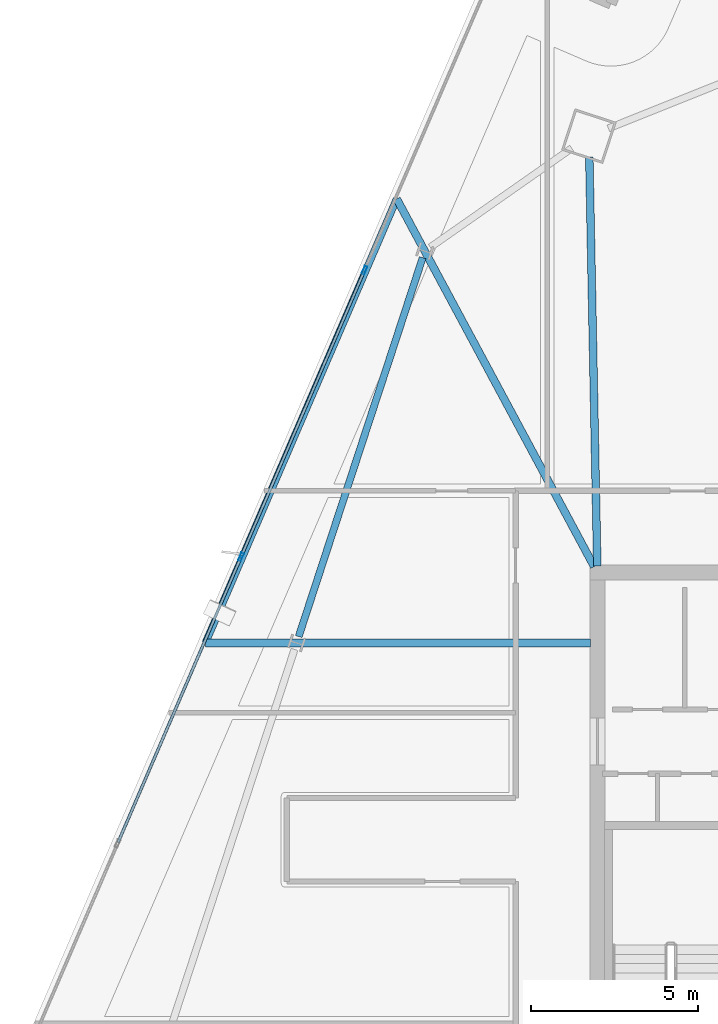
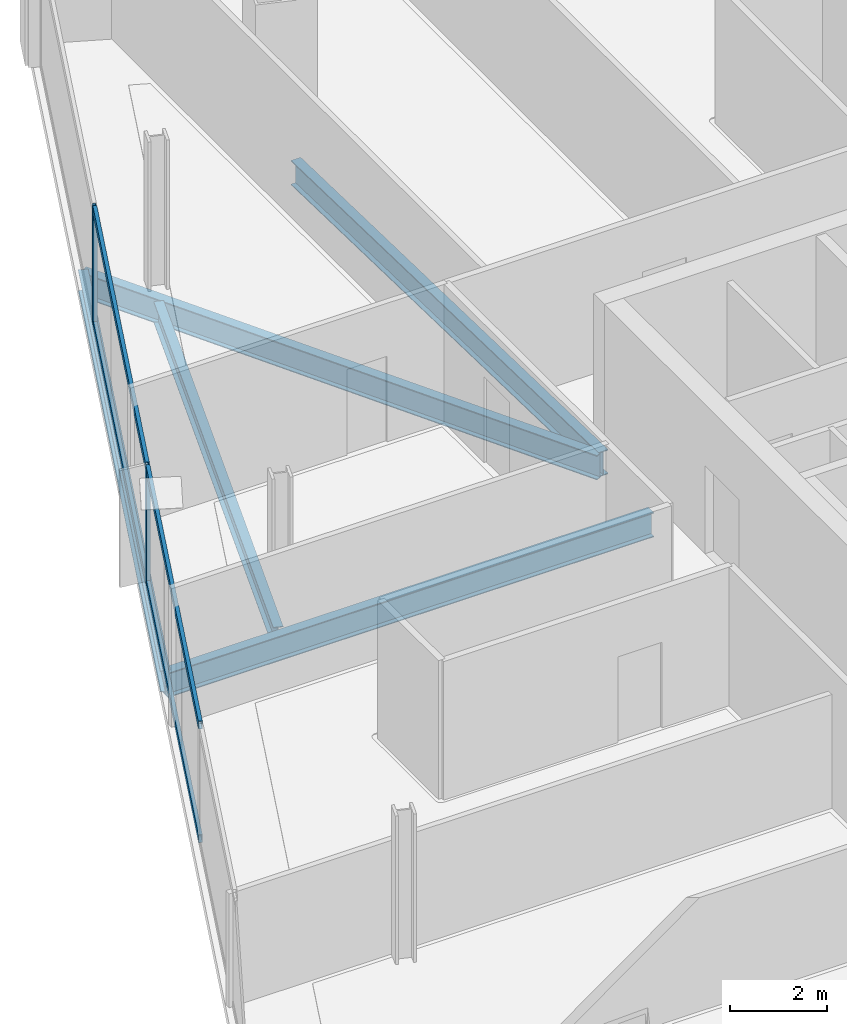
# One storey, part 13 of 28: 6 members, 5 beams, 1 element without a shape of its own.
"""IFC4 building model written with IfcOpenShell, lengths in metres."""

from ifc_helpers import new_model, si_unit, direction, frame, origin, origin_2d, place, context, subcontext, project, spatial, hollow_rectangle, i_section, extrude, material, material_profile, profile_set, type_object, element, aggregate, save


model = new_model("IFC4")

# Units and contexts
model_context = context("Model", 3, precision=1e-05, world=origin(), true_north=direction((0.0, 1.0)))
body_context = subcontext(model_context, "Body", "Model", "MODEL_VIEW")
ifc_project = project(units=[si_unit("LENGTHUNIT", "METRE"), si_unit("AREAUNIT", "SQUARE_METRE"), si_unit("VOLUMEUNIT", "CUBIC_METRE"), si_unit("PLANEANGLEUNIT", "RADIAN"), si_unit("MASSUNIT", "GRAM", prefix="KILO")], contexts=[model_context])

# Site, building, storey
site_placement = place(None, origin())
site = spatial("IfcSite", under=ifc_project, at=site_placement, CompositionType="ELEMENT")
building_placement = place(site_placement, origin())
building = spatial("IfcBuilding", under=site, at=building_placement, Name="Haldenkirk Collegiate Tower", CompositionType="ELEMENT")
storey_placement = place(building_placement, frame((0.0, 0.0, 252.449951171875)))
storey = spatial("IfcBuildingStorey", under=building, at=storey_placement, Name="L63", CompositionType="ELEMENT", Elevation=252.449951171875)

# Beams
ifc_material_1 = material(Name="Steel ASTM A992 Grade 50", Category="steel")
ifc_material_profile_1 = material_profile(ifc_material_1, i_section(OverallWidth=0.22998046875, OverallDepth=0.616943359375, WebThickness=0.01318359375, FlangeThickness=0.022216796875, at=origin_2d()), Name="W24X94")
ifc_profile_set_1 = profile_set([ifc_material_profile_1], Name="Steel ASTM A992 Grade 50")
beam_type_1 = type_object("IfcBeamType", Name="BM-GIRDER-W24X94", PredefinedType="BEAM", material=ifc_profile_set_1)
beam_1_placement = place(storey_placement, frame((26.75732421875, 46.443603515625, -0.578369140625), z_axis=(0.019505953171, -0.999809740796, 0.0), x_axis=(0.999809740796, 0.019505953171, 0.0)))
element("IfcBeam", 1, at=beam_1_placement, inside=storey, type_object=beam_type_1, Name="L63 primary floor girder 03", PredefinedType="BEAM", context=body_context, shape_type="SweptSolid", body=[
    extrude(i_section(OverallWidth=0.22998046875, OverallDepth=0.616943359375, WebThickness=0.01318359375, FlangeThickness=0.022216796875, at=origin_2d()), origin(), (0.0, 0.0, 1.0), 12.240966796875),
])
beam_2_placement = place(storey_placement, frame((20.98876953125, 45.1962890625, -0.578369140625), z_axis=(0.473034017408, -0.881044163692, 0.0), x_axis=(0.881044163692, 0.473034017408, 0.0)))
element("IfcBeam", 2, at=beam_2_placement, inside=storey, type_object=beam_type_1, Name="L63 primary floor girder 11", PredefinedType="BEAM", context=body_context, shape_type="SweptSolid", body=[
    extrude(i_section(OverallWidth=0.22998046875, OverallDepth=0.616943359375, WebThickness=0.01318359375, FlangeThickness=0.022216796875, at=origin_2d()), origin(), (0.0, 0.0, 1.0), 12.5029296875),
])
beam_3_placement = place(storey_placement, frame((15.259765625, 31.8935546875, -0.578369140625), z_axis=(1.0, 0.0, 0.0), x_axis=(0.0, 1.0, 0.0)))
element("IfcBeam", 3, at=beam_3_placement, inside=storey, type_object=beam_type_1, Name="L63 primary floor girder 12", PredefinedType="BEAM", context=body_context, shape_type="SweptSolid", body=[
    extrude(i_section(OverallWidth=0.22998046875, OverallDepth=0.616943359375, WebThickness=0.01318359375, FlangeThickness=0.022216796875, at=origin_2d()), origin(), (0.0, 0.0, 1.0), 11.53515625),
])
ifc_material_profile_2 = material_profile(ifc_material_1, i_section(OverallWidth=0.2099609375, OverallDepth=0.537109375, WebThickness=0.010986328125, FlangeThickness=0.017333984375, at=origin_2d()), Name="W21X68")
ifc_profile_set_2 = profile_set([ifc_material_profile_2], Name="Steel ASTM A992 Grade 50")
beam_type_2 = type_object("IfcBeamType", Name="BM-SPANDREL-W21X68", PredefinedType="SPANDREL", material=ifc_profile_set_2)
beam_4_placement = place(storey_placement, frame((21.76708984375, 43.436767578125, -0.538330078125), z_axis=(-0.311010188249, -0.950406577631, 0.0), x_axis=(0.950406577631, -0.311010188249, 0.0)))
element("IfcBeam", 4, at=beam_4_placement, inside=storey, type_object=beam_type_2, Name="L63 perimeter spandrel beam 10", PredefinedType="SPANDREL", context=body_context, shape_type="SweptSolid", body=[
    extrude(i_section(OverallWidth=0.2099609375, OverallDepth=0.537109375, WebThickness=0.010986328125, FlangeThickness=0.017333984375, at=origin_2d()), origin(), (0.0, 0.0, 1.0), 11.94287109375),
])
beam_5_placement = place(storey_placement, frame((20.98876953125, 45.1962890625, -0.538330078125), z_axis=(-0.395542088019, -0.91844785187, 0.0), x_axis=(0.91844785187, -0.395542088019, 0.0)))
element("IfcBeam", 5, at=beam_5_placement, inside=storey, type_object=beam_type_2, Name="L63 outer facade edge beam 3", PredefinedType="SPANDREL", context=body_context, shape_type="SweptSolid", body=[
    extrude(i_section(OverallWidth=0.2099609375, OverallDepth=0.537109375, WebThickness=0.010986328125, FlangeThickness=0.017333984375, at=origin_2d()), origin(), (0.0, 0.0, 1.0), 14.48388671875),
])

# Curtain wall, members
ifc_material_2 = material(Name="Anodised architectural bronze aluminium", Category="aluminium")
curtain_wall_type = type_object("IfcCurtainWallType", Name="CW-SYS1B-CONVEX-HI", PredefinedType="USERDEFINED", material=ifc_material_2)
curtain_wall_placement = place(storey_placement, origin())
curtain_wall = element("IfcCurtainWall", 6, at=curtain_wall_placement, inside=storey, type_object=curtain_wall_type, Name="L63 Upper tower high-wind convex bronze unitised curtain wall", ObjectType="UNITISED CURTAIN WALL", PredefinedType="USERDEFINED")
ifc_material_profile_3 = material_profile(ifc_material_2, hollow_rectangle(XDim=0.0849609375, YDim=0.25, WallThickness=0.0048828125, at=origin_2d()), Name="CW-MUL-1B")
ifc_profile_set_3 = profile_set([ifc_material_profile_3], Name="Anodised architectural bronze aluminium")
member_type_1 = type_object("IfcMemberType", Name="CW-MUL-1B", PredefinedType="MULLION", material=ifc_profile_set_3)
member_1_placement = place(storey_placement, frame((16.326904296875, 34.47265625, 0.0), z_axis=(0.0, 0.0, 1.0), x_axis=(-0.918446421115, 0.395545410215, 0.0)))
member_1 = element("IfcMember", 7, at=member_1_placement, type_object=member_type_1, Name="CW-1B mullion 3", PredefinedType="MULLION", context=body_context, shape_type="SweptSolid", body=[
    extrude(hollow_rectangle(XDim=0.0849609375, YDim=0.25, WallThickness=0.0048828125, at=origin_2d()), origin(), (0.0, 0.0, 1.0), 2.93798828125),
])
member_2_placement = place(storey_placement, frame((20.025146484375, 43.06005859375, 0.0), z_axis=(0.0, 0.0, 1.0), x_axis=(-0.918446421115, 0.395545410215, 0.0)))
member_2 = element("IfcMember", 8, at=member_2_placement, type_object=member_type_1, Name="CW-1B mullion 4", PredefinedType="MULLION", context=body_context, shape_type="SweptSolid", body=[
    extrude(hollow_rectangle(XDim=0.0849609375, YDim=0.25, WallThickness=0.0048828125, at=origin_2d()), origin(), (0.0, 0.0, 1.0), 2.93798828125),
])
ifc_material_profile_4 = material_profile(ifc_material_2, hollow_rectangle(XDim=0.0849609375, YDim=0.199951171875, WallThickness=0.0048828125, at=origin_2d()), Name="CW-TRN-1B")
ifc_profile_set_4 = profile_set([ifc_material_profile_4], Name="Anodised architectural bronze aluminium")
member_type_2 = type_object("IfcMemberType", Name="CW-TRN-1B", PredefinedType="USERDEFINED", material=ifc_profile_set_4)
member_3_placement = place(storey_placement, frame((12.645263671875, 25.924072265625, 0.04248046875), z_axis=(0.395546958004, 0.91844575453, 0.0), x_axis=(-0.91844575453, 0.395546958004, 0.0)))
member_3 = element("IfcMember", 9, at=member_3_placement, type_object=member_type_2, Name="CW-1B transom 2.1", ObjectType="TRANSOM", PredefinedType="USERDEFINED", context=body_context, shape_type="SweptSolid", body=[
    extrude(hollow_rectangle(XDim=0.0849609375, YDim=0.199951171875, WallThickness=0.0048828125, at=origin_2d()), origin(), (0.0, 0.0, 1.0), 9.26513671875),
])
member_4_placement = place(storey_placement, frame((12.645263671875, 25.924072265625, 2.8955078125), z_axis=(0.395546958004, 0.91844575453, 0.0), x_axis=(-0.91844575453, 0.395546958004, 0.0)))
member_4 = element("IfcMember", 10, at=member_4_placement, type_object=member_type_2, Name="CW-1B transom 2.2", ObjectType="TRANSOM", PredefinedType="USERDEFINED", context=body_context, shape_type="SweptSolid", body=[
    extrude(hollow_rectangle(XDim=0.0849609375, YDim=0.199951171875, WallThickness=0.0048828125, at=origin_2d()), origin(), (0.0, 0.0, 1.0), 9.26513671875),
])
member_5_placement = place(storey_placement, frame((16.34375, 34.511474609375, 0.04248046875), z_axis=(0.395546958004, 0.91844575453, 0.0), x_axis=(-0.91844575453, 0.395546958004, 0.0)))
member_5 = element("IfcMember", 11, at=member_5_placement, type_object=member_type_2, Name="CW-1B transom 3.1", ObjectType="TRANSOM", PredefinedType="USERDEFINED", context=body_context, shape_type="SweptSolid", body=[
    extrude(hollow_rectangle(XDim=0.0849609375, YDim=0.199951171875, WallThickness=0.0048828125, at=origin_2d()), origin(), (0.0, 0.0, 1.0), 9.26513671875),
])
member_6_placement = place(storey_placement, frame((16.34375, 34.511474609375, 2.8955078125), z_axis=(0.395546958004, 0.91844575453, 0.0), x_axis=(-0.91844575453, 0.395546958004, 0.0)))
member_6 = element("IfcMember", 12, at=member_6_placement, type_object=member_type_2, Name="CW-1B transom 3.2", ObjectType="TRANSOM", PredefinedType="USERDEFINED", context=body_context, shape_type="SweptSolid", body=[
    extrude(hollow_rectangle(XDim=0.0849609375, YDim=0.199951171875, WallThickness=0.0048828125, at=origin_2d()), origin(), (0.0, 0.0, 1.0), 9.26513671875),
])
aggregate(curtain_wall, [member_1, member_2, member_3, member_4, member_5, member_6])

save(model, "model.ifc")
